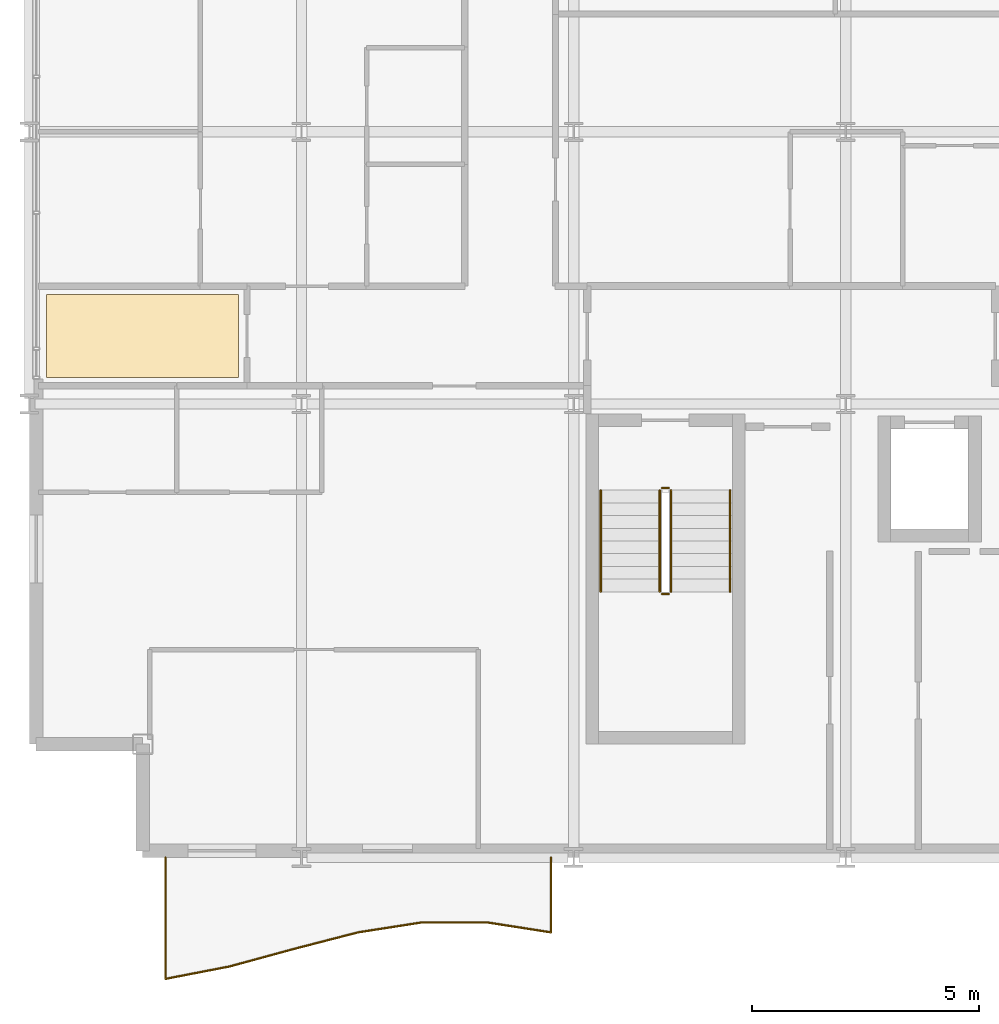
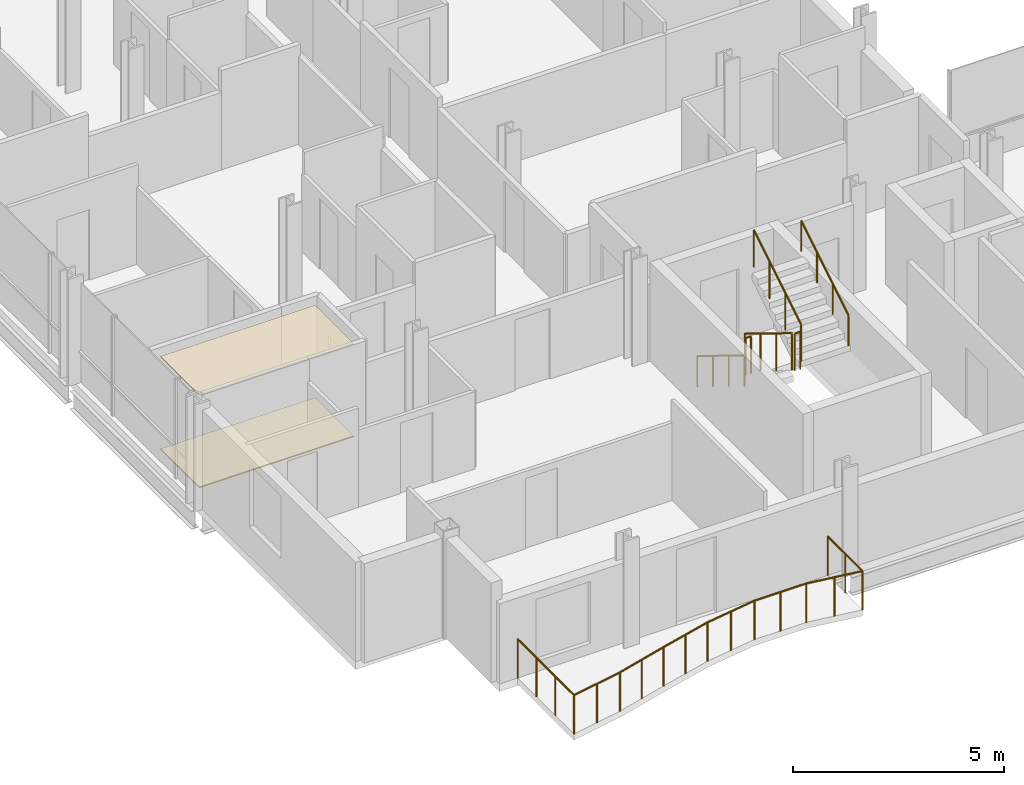
# One storey, part 38 of 40: 7 railings, 2 coverings.
"""IFC4 building model written with IfcOpenShell, lengths in metres."""

from ifc_helpers import new_model, si_unit, direction, frame, origin, origin_2d, place, context, subcontext, project, spatial, polyline, circle, outline, extrude, material, layer, layer_set, type_object, element, save


model = new_model("IFC4")

# Units and contexts
model_context = context("Model", 3, precision=1e-05, world=origin(), true_north=direction((0.0, 1.0)))
body_context = subcontext(model_context, "Body", "Model", "MODEL_VIEW")
ifc_project = project(units=[si_unit("LENGTHUNIT", "METRE"), si_unit("AREAUNIT", "SQUARE_METRE"), si_unit("VOLUMEUNIT", "CUBIC_METRE"), si_unit("PLANEANGLEUNIT", "RADIAN"), si_unit("MASSUNIT", "GRAM", prefix="KILO")], contexts=[model_context])

# Site, building, storey
site_placement = place(None, origin())
site = spatial("IfcSite", under=ifc_project, at=site_placement, CompositionType="ELEMENT")
building_placement = place(site_placement, origin())
building = spatial("IfcBuilding", under=site, at=building_placement, Name="Brevholm Reach", CompositionType="ELEMENT")
storey_placement = place(building_placement, frame((0.0, 0.0, 125.199951171875)))
storey = spatial("IfcBuildingStorey", under=building, at=storey_placement, Name="L37", CompositionType="ELEMENT", Elevation=125.199951171875)

# Coverings
ifc_material_1 = material(Name="Moisture-Resistant Skimmed Gypsum Plasterboard Ceiling", Category="gypsum")
ifc_layer_1 = layer(ifc_material_1, 0.030029296875)
ifc_layer_set_1 = layer_set([ifc_layer_1], Name="Moisture-Resistant Skimmed Gypsum Plasterboard Ceiling")
covering_type_1 = type_object("IfcCoveringType", Name="COV-CLG-GYP", PredefinedType="CEILING", material=ifc_layer_set_1)
covering_1_placement = place(storey_placement, frame((0.0, 0.0, 2.679931640625)))
element("IfcCovering", 1, at=covering_1_placement, inside=storey, type_object=covering_type_1, Name="L37 Suspended Ceiling L37-29", PredefinedType="CEILING", context=body_context, shape_type="SweptSolid", body=[
    extrude(outline(polyline([(0.3798828125, 12.419921875), (4.615966796875, 12.419921875), (4.615966796875, 10.583984375), (0.3798828125, 10.583984375), (0.3798828125, 12.419921875)])), origin(), (0.0, 0.0, 1.0), 0.030029296875),
])
ifc_material_2 = material(Name="Honed Portland-Aggregate Resin Terrazzo Flooring", Category="concrete")
ifc_layer_2 = layer(ifc_material_2, 0.031982421875)
ifc_layer_set_2 = layer_set([ifc_layer_2], Name="Honed Portland-Aggregate Resin Terrazzo Flooring")
covering_type_2 = type_object("IfcCoveringType", Name="COV-FLR-TRZ", PredefinedType="FLOORING", material=ifc_layer_set_2)
covering_2_placement = place(storey_placement, origin())
element("IfcCovering", 2, at=covering_2_placement, inside=storey, type_object=covering_type_2, Name="L37 Floor Finish L37-29", PredefinedType="FLOORING", context=body_context, shape_type="SweptSolid", body=[
    extrude(outline(polyline([(0.3798828125, 12.419921875), (4.615966796875, 12.419921875), (4.615966796875, 10.583984375), (0.3798828125, 10.583984375), (0.3798828125, 12.419921875)])), origin(), (0.0, 0.0, 1.0), 0.031982421875),
])

# Railings
ifc_material_3 = material(Name="Brushed Stainless Steel EN 1.4401 and Laminated Glass", Category="steel")
railing_type_1 = type_object("IfcRailingType", Name="RAL-BALC-1150", PredefinedType="BALUSTRADE", material=ifc_material_3)
railing_1_placement = place(storey_placement, frame((3.0, 0.0, 0.0)))
element("IfcRailing", 3, at=railing_1_placement, inside=storey, type_object=railing_type_1, Name="L37 Guard Balustrade RAL-L37-BAL-SW", PredefinedType="BALUSTRADE", context=body_context, shape_type="SweptSolid", body=[
    extrude(circle(Radius=0.02392578125, at=origin_2d()), frame((0.0, 0.0, 1.1259765625), z_axis=(0.0, -1.0, 0.0), x_axis=(1.0, 0.0, 0.0)), (0.0, 0.0, 1.0), 2.676513671875),
    extrude(circle(Radius=0.02392578125, at=origin_2d()), frame((0.0, -2.676513671875, 1.1259765625), z_axis=(0.98175336952, 0.190158674365, 0.0), x_axis=(-0.190158674365, 0.98175336952, 0.0)), (0.0, 0.0, 1.0), 1.443115234375),
    extrude(circle(Radius=0.02392578125, at=origin_2d()), frame((1.416748046875, -2.402099609375, 1.1259765625), z_axis=(0.964821360478, 0.262906337628, 0.0), x_axis=(-0.262906337628, 0.964821360478, 0.0)), (0.0, 0.0, 1.0), 1.46826171875),
    extrude(circle(Radius=0.02392578125, at=origin_2d()), frame((2.833251953125, -2.01611328125, 1.1259765625), z_axis=(0.968218696825, 0.250105088151, 0.0), x_axis=(-0.250105088151, 0.968218696825, 0.0)), (0.0, 0.0, 1.0), 1.463134765625),
    extrude(circle(Radius=0.02392578125, at=origin_2d()), frame((4.25, -1.650146484375, 1.1259765625), z_axis=(0.988082538492, 0.153924972393, 0.0), x_axis=(-0.153924972393, 0.988082538492, 0.0)), (0.0, 0.0, 1.0), 1.433837890625),
    extrude(circle(Radius=0.02392578125, at=origin_2d()), frame((5.666748046875, -1.429443359375, 1.1259765625), z_axis=(1.0, 0.0, 0.0), x_axis=(0.0, 1.0, 0.0)), (0.0, 0.0, 1.0), 1.41650390625),
    extrude(circle(Radius=0.02392578125, at=origin_2d()), frame((7.083251953125, -1.429443359375, 1.1259765625), z_axis=(0.988082538492, -0.153924972393, 0.0), x_axis=(0.153924972393, 0.988082538492, 0.0)), (0.0, 0.0, 1.0), 1.433837890625),
    extrude(circle(Radius=0.02392578125, at=origin_2d()), frame((8.5, -1.650146484375, 1.1259765625), z_axis=(0.0, 1.0, 0.0), x_axis=(-1.0, 0.0, 0.0)), (0.0, 0.0, 1.0), 1.650146484375),
    extrude(circle(Radius=0.02099609375, at=origin_2d()), origin(), (0.0, 0.0, 1.0), 1.101806640625),
    extrude(circle(Radius=0.02099609375, at=origin_2d()), frame((0.0, -0.89208984375, 0.0)), (0.0, 0.0, 1.0), 1.101806640625),
    extrude(circle(Radius=0.02099609375, at=origin_2d()), frame((0.0, -1.784423828125, 0.0)), (0.0, 0.0, 1.0), 1.101806640625),
    extrude(circle(Radius=0.02099609375, at=origin_2d()), frame((0.0, -2.676513671875, 0.0)), (0.0, 0.0, 1.0), 1.101806640625),
    extrude(circle(Radius=0.02099609375, at=origin_2d()), frame((0.70849609375, -2.539306640625, 0.0)), (0.0, 0.0, 1.0), 1.101806640625),
    extrude(circle(Radius=0.02099609375, at=origin_2d()), frame((1.416748046875, -2.402099609375, 0.0)), (0.0, 0.0, 1.0), 1.101806640625),
    extrude(circle(Radius=0.02099609375, at=origin_2d()), frame((2.125, -2.208984375, 0.0)), (0.0, 0.0, 1.0), 1.101806640625),
    extrude(circle(Radius=0.02099609375, at=origin_2d()), frame((2.833251953125, -2.01611328125, 0.0)), (0.0, 0.0, 1.0), 1.101806640625),
    extrude(circle(Radius=0.02099609375, at=origin_2d()), frame((3.54150390625, -1.8330078125, 0.0)), (0.0, 0.0, 1.0), 1.101806640625),
    extrude(circle(Radius=0.02099609375, at=origin_2d()), frame((4.25, -1.650146484375, 0.0)), (0.0, 0.0, 1.0), 1.101806640625),
    extrude(circle(Radius=0.02099609375, at=origin_2d()), frame((4.95849609375, -1.539794921875, 0.0)), (0.0, 0.0, 1.0), 1.101806640625),
    extrude(circle(Radius=0.02099609375, at=origin_2d()), frame((5.666748046875, -1.429443359375, 0.0)), (0.0, 0.0, 1.0), 1.101806640625),
    extrude(circle(Radius=0.02099609375, at=origin_2d()), frame((6.375, -1.429443359375, 0.0)), (0.0, 0.0, 1.0), 1.101806640625),
    extrude(circle(Radius=0.02099609375, at=origin_2d()), frame((7.083251953125, -1.429443359375, 0.0)), (0.0, 0.0, 1.0), 1.101806640625),
    extrude(circle(Radius=0.02099609375, at=origin_2d()), frame((7.79150390625, -1.539794921875, 0.0)), (0.0, 0.0, 1.0), 1.101806640625),
    extrude(circle(Radius=0.02099609375, at=origin_2d()), frame((8.5, -1.650146484375, 0.0)), (0.0, 0.0, 1.0), 1.101806640625),
    extrude(circle(Radius=0.02099609375, at=origin_2d()), frame((8.5, -0.8251953125, 0.0)), (0.0, 0.0, 1.0), 1.101806640625),
    extrude(circle(Radius=0.02099609375, at=origin_2d()), frame((8.5, 0.0, 0.0)), (0.0, 0.0, 1.0), 1.101806640625),
])
ifc_material_4 = material(Name="Brushed Stainless Steel EN 1.4401 Continuous Handrail", Category="steel")
railing_type_2 = type_object("IfcRailingType", Name="RAL-HND-950", PredefinedType="HANDRAIL", material=ifc_material_4)
railing_2_placement = place(storey_placement, frame((12.60009765625, 8.10009765625, 0.17236328125)))
element("IfcRailing", 4, at=railing_2_placement, inside=storey, type_object=railing_type_2, Name="L37 ST-1 stair handrail 1", PredefinedType="HANDRAIL", context=body_context, shape_type="SweptSolid", body=[
    extrude(circle(Radius=0.02392578125, at=origin_2d()), frame((0.0, 0.0, 0.8857421875), z_axis=(0.0, -0.85178898068, 0.523885037382), x_axis=(1.0, 0.0, 0.0)), (0.0, 0.0, 1.0), 2.629638671875),
    extrude(circle(Radius=0.02099609375, at=origin_2d()), origin(), (0.0, 0.0, 1.0), 0.86181640625),
    extrude(circle(Radius=0.02099609375, at=origin_2d()), frame((0.0, -0.74658203125, 0.459228515625)), (0.0, 0.0, 1.0), 0.86181640625),
    extrude(circle(Radius=0.02099609375, at=origin_2d()), frame((0.0, -1.493408203125, 0.91845703125)), (0.0, 0.0, 1.0), 0.86181640625),
    extrude(circle(Radius=0.02099609375, at=origin_2d()), frame((0.0, -2.239990234375, 1.377685546875)), (0.0, 0.0, 1.0), 0.86181640625),
])
railing_3_placement = place(storey_placement, frame((15.449951171875, 5.860107421875, 1.72216796875)))
element("IfcRailing", 5, at=railing_3_placement, inside=storey, type_object=railing_type_2, Name="L37 ST-1 stair handrail 2", PredefinedType="HANDRAIL", context=body_context, shape_type="SweptSolid", body=[
    extrude(circle(Radius=0.02392578125, at=origin_2d()), frame((0.0, 0.0, 0.8857421875), z_axis=(0.0, 0.851747552033, 0.523952390591), x_axis=(-1.0, 0.0, 0.0)), (0.0, 0.0, 1.0), 2.6298828125),
    extrude(circle(Radius=0.02099609375, at=origin_2d()), origin(), (0.0, 0.0, 1.0), 0.86181640625),
    extrude(circle(Radius=0.02099609375, at=origin_2d()), frame((0.0, 0.74658203125, 0.459228515625)), (0.0, 0.0, 1.0), 0.86181640625),
    extrude(circle(Radius=0.02099609375, at=origin_2d()), frame((0.0, 1.493408203125, 0.918701171875)), (0.0, 0.0, 1.0), 0.86181640625),
    extrude(circle(Radius=0.02099609375, at=origin_2d()), frame((0.0, 2.239990234375, 1.3779296875)), (0.0, 0.0, 1.0), 0.86181640625),
])
ifc_material_5 = material(Name="Painted Tubular Galvanised Steel S275JR Stair Guard", Category="steel")
railing_type_3 = type_object("IfcRailingType", Name="RAL-STG-1120", PredefinedType="BALUSTRADE", material=ifc_material_5)
railing_4_placement = place(storey_placement, frame((13.89990234375, 8.10009765625, 0.17236328125)))
element("IfcRailing", 6, at=railing_4_placement, inside=storey, type_object=railing_type_3, Name="L37 ST-1 stair guard 1", PredefinedType="BALUSTRADE", context=body_context, shape_type="SweptSolid", body=[
    extrude(circle(Radius=0.02392578125, at=origin_2d()), frame((0.0, 0.0, 1.076171875), z_axis=(0.0, -0.85178898068, 0.523885037382), x_axis=(1.0, 0.0, 0.0)), (0.0, 0.0, 1.0), 2.629638671875),
    extrude(circle(Radius=0.02099609375, at=origin_2d()), origin(), (0.0, 0.0, 1.0), 1.052001953125),
    extrude(circle(Radius=0.02099609375, at=origin_2d()), frame((0.0, -0.74658203125, 0.459228515625)), (0.0, 0.0, 1.0), 1.052001953125),
    extrude(circle(Radius=0.02099609375, at=origin_2d()), frame((0.0, -1.493408203125, 0.91845703125)), (0.0, 0.0, 1.0), 1.052001953125),
    extrude(circle(Radius=0.02099609375, at=origin_2d()), frame((0.0, -2.239990234375, 1.377685546875)), (0.0, 0.0, 1.0), 1.052001953125),
])
railing_5_placement = place(storey_placement, frame((13.949951171875, 5.81005859375, 1.550048828125)))
element("IfcRailing", 7, at=railing_5_placement, inside=storey, type_object=railing_type_3, Name="L37 ST-1 stair guard 2", PredefinedType="BALUSTRADE", context=body_context, shape_type="SweptSolid", body=[
    extrude(circle(Radius=0.02392578125, at=origin_2d()), frame((0.0, 0.0, 1.076171875), z_axis=(1.0, 0.0, 0.0), x_axis=(0.0, 1.0, 0.0)), (0.0, 0.0, 1.0), 0.150146484375),
    extrude(circle(Radius=0.02099609375, at=origin_2d()), origin(), (0.0, 0.0, 1.0), 1.052001953125),
    extrude(circle(Radius=0.02099609375, at=origin_2d()), frame((0.150146484375, 0.0, 0.0)), (0.0, 0.0, 1.0), 1.052001953125),
])
railing_6_placement = place(storey_placement, frame((14.14990234375, 5.860107421875, 1.72216796875)))
element("IfcRailing", 8, at=railing_6_placement, inside=storey, type_object=railing_type_3, Name="L37 ST-1 stair guard 3", PredefinedType="BALUSTRADE", context=body_context, shape_type="SweptSolid", body=[
    extrude(circle(Radius=0.02392578125, at=origin_2d()), frame((0.0, 0.0, 1.076171875), z_axis=(0.0, 0.851747552033, 0.523952390591), x_axis=(-1.0, 0.0, 0.0)), (0.0, 0.0, 1.0), 2.6298828125),
    extrude(circle(Radius=0.02099609375, at=origin_2d()), origin(), (0.0, 0.0, 1.0), 1.052001953125),
    extrude(circle(Radius=0.02099609375, at=origin_2d()), frame((0.0, 0.74658203125, 0.459228515625)), (0.0, 0.0, 1.0), 1.052001953125),
    extrude(circle(Radius=0.02099609375, at=origin_2d()), frame((0.0, 1.493408203125, 0.918701171875)), (0.0, 0.0, 1.0), 1.052001953125),
    extrude(circle(Radius=0.02099609375, at=origin_2d()), frame((0.0, 2.239990234375, 1.3779296875)), (0.0, 0.0, 1.0), 1.052001953125),
])
railing_7_placement = place(storey_placement, frame((13.949951171875, 8.14990234375, 0.0)))
element("IfcRailing", 9, at=railing_7_placement, inside=storey, type_object=railing_type_3, Name="L37 ST-1 stair guard 4", PredefinedType="BALUSTRADE", context=body_context, shape_type="SweptSolid", body=[
    extrude(circle(Radius=0.02392578125, at=origin_2d()), frame((0.0, 0.0, 1.076171875), z_axis=(1.0, 0.0, 0.0), x_axis=(0.0, 1.0, 0.0)), (0.0, 0.0, 1.0), 0.150146484375),
    extrude(circle(Radius=0.02099609375, at=origin_2d()), origin(), (0.0, 0.0, 1.0), 1.052001953125),
    extrude(circle(Radius=0.02099609375, at=origin_2d()), frame((0.150146484375, 0.0, 0.0)), (0.0, 0.0, 1.0), 1.052001953125),
])

save(model, "model.ifc")
